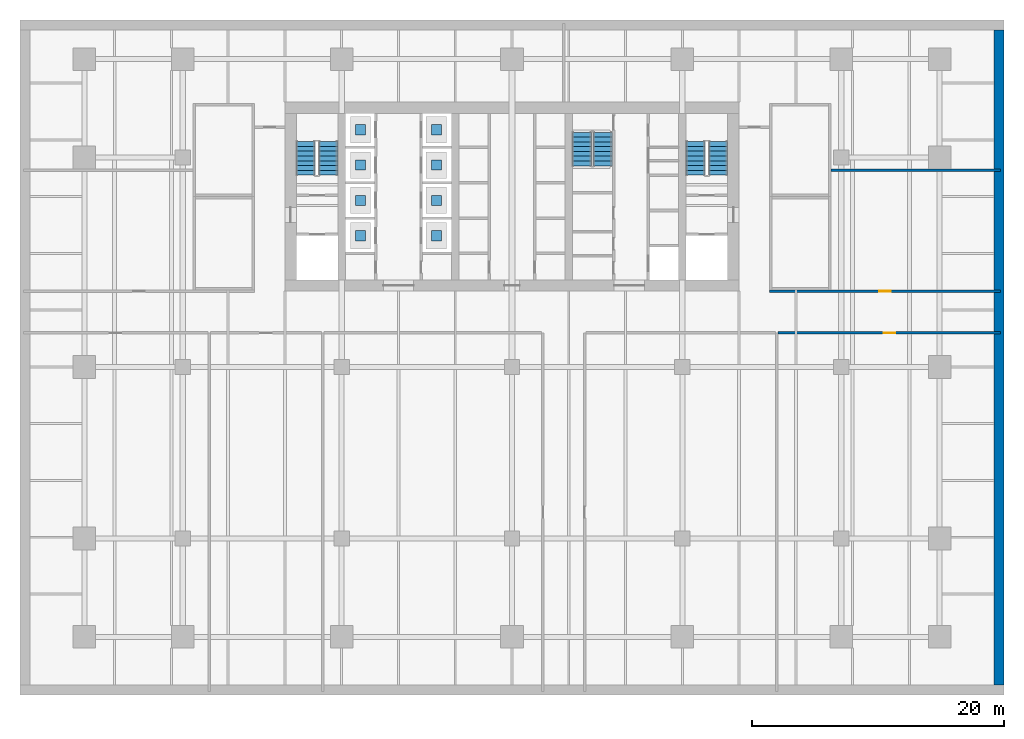
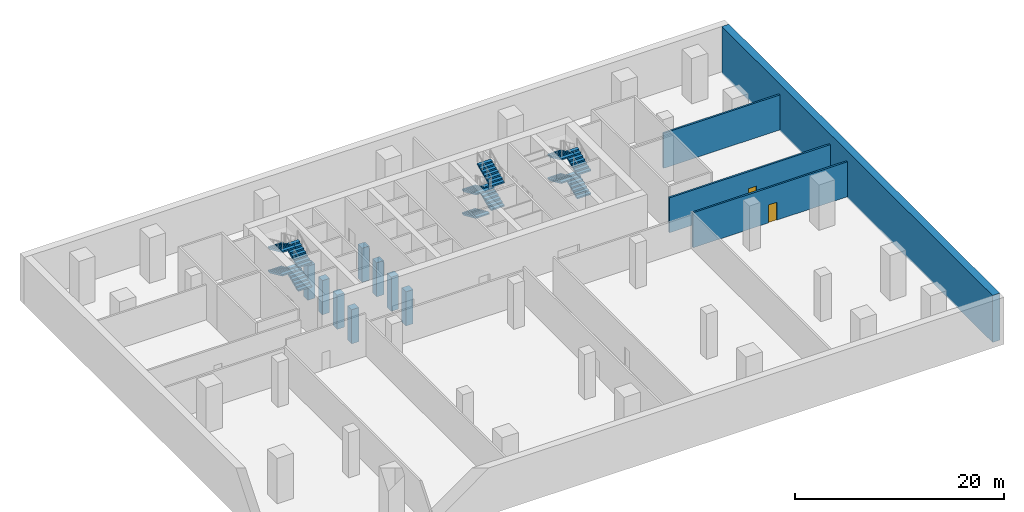
# One storey, part 8 of 11: 12 stair flights, 8 discrete accessories, 4 walls, 2 doors, 2 openings, 3 elements without a shape of their own.
"""IFC4 building model written with IfcOpenShell, lengths in metres."""

from ifc_helpers import new_model, si_unit, direction, frame, frame_2d, origin, origin_2d, place, context, subcontext, project, spatial, polyline, rectangle, outline, extrude, material, layer, layer_set, type_object, element, fill, aggregate, save


model = new_model("IFC4")

# Units and contexts
model_context = context("Model", 3, precision=1e-05, world=origin(), true_north=direction((0.0, 1.0)))
body_context = subcontext(model_context, "Body", "Model", "MODEL_VIEW")
ifc_project = project(units=[si_unit("LENGTHUNIT", "METRE"), si_unit("AREAUNIT", "SQUARE_METRE"), si_unit("VOLUMEUNIT", "CUBIC_METRE"), si_unit("PLANEANGLEUNIT", "RADIAN"), si_unit("MASSUNIT", "GRAM", prefix="KILO")], contexts=[model_context])

# Site, building, storey
site_placement = place(None, origin())
site = spatial("IfcSite", under=ifc_project, at=site_placement, CompositionType="ELEMENT")
building_placement = place(site_placement, origin())
building = spatial("IfcBuilding", under=site, at=building_placement, Name="Rattan Terrace Tower", CompositionType="ELEMENT")
storey_placement = place(building_placement, frame((0.0, 0.0, -5.5)))
storey = spatial("IfcBuildingStorey", under=building, at=storey_placement, Name="B1", CompositionType="ELEMENT", Elevation=-5.5)

# Wall, opening, door
ifc_material_1 = material(Name="Concrete block wall, plastered", Category="concrete")
ifc_layer_1 = layer(ifc_material_1, 0.199951171875)
ifc_layer_set_1 = layer_set([ifc_layer_1], Name="Floors Plant Wall 200")
wall_type_1 = type_object("IfcWallType", Name="Floors Plant Wall 200", PredefinedType="PARTITIONING", material=ifc_layer_set_1)
wall_1_placement = place(storey_placement, frame((38.739990234375, -10.800048828125, 0.0), z_axis=(0.0, 0.0, 1.0), x_axis=(-1.0, 0.0, 0.0)))
wall_1 = element("IfcWall", 1, at=wall_1_placement, inside=storey, type_object=wall_type_1, Name="pt-B1-007", PredefinedType="PARTITIONING", context=body_context, shape_type="SweptSolid", body=[
    extrude(rectangle(XDim=17.639892578125, YDim=0.199951171875, at=frame_2d((8.81982421875, 0.0))), origin(), (0.0, 0.0, 1.0), 4.10009765625),
])
opening_1_placement = place(wall_1_placement, frame((8.3701171875, 0.0, 0.0)))
opening_1 = element("IfcOpeningElement", 2, at=opening_1_placement, cuts=wall_1, Name="Opening B1-D104", PredefinedType="OPENING", context=body_context, shape_type="SweptSolid", body=[
    extrude(rectangle(XDim=0.89990234375, YDim=2.10009765625, at=frame_2d((0.449951171875, 1.050048828125))), frame((0.0, 0.110595703125, 0.0), z_axis=(0.0, -1.0, 0.0), x_axis=(1.0, 0.0, 0.0)), (0.0, 0.0, 1.0), 0.220947265625),
])
ifc_material_2 = material(Name="Steel fire door set", Category="steel")
door_type = type_object("IfcDoorType", Name="Floors Fire Door FD60 900x2100", OperationType="NOTDEFINED", PredefinedType="DOOR", material=ifc_material_2)
door_1_placement = place(opening_1_placement, origin())
door_1 = element("IfcDoor", 3, at=door_1_placement, inside=storey, type_object=door_type, Name="d-B1-104", OperationType="SINGLE_SWING_LEFT", OverallHeight=2.10009765625, OverallWidth=0.89990234375, PredefinedType="DOOR", context=body_context, shape_type="SweptSolid", body=[
    extrude(rectangle(XDim=0.89990234375, YDim=2.10009765625, at=frame_2d((0.449951171875, 1.050048828125))), frame((0.0, 0.02490234375, 0.0), z_axis=(0.0, -1.0, 0.0), x_axis=(1.0, 0.0, 0.0)), (0.0, 0.0, 1.0), 0.050048828125),
])
fill(opening_1, door_1)

wall_2_placement = place(storey_placement, frame((20.39990234375, -7.5, 0.0), z_axis=(0.0, 0.0, 1.0), x_axis=(1.0, 0.0, 0.0)))
wall_2 = element("IfcWall", 4, at=wall_2_placement, inside=storey, type_object=wall_type_1, Name="pt-B1-010", PredefinedType="PARTITIONING", context=body_context, shape_type="SweptSolid", body=[
    extrude(rectangle(XDim=18.340087890625, YDim=0.199951171875, at=frame_2d((9.169921875, 0.0))), origin(), (0.0, 0.0, 1.0), 4.10009765625),
])
opening_2_placement = place(wall_2_placement, frame((8.719970703125, 0.0, 0.0)))
opening_2 = element("IfcOpeningElement", 5, at=opening_2_placement, cuts=wall_2, Name="Opening B1-D107", PredefinedType="OPENING", context=body_context, shape_type="SweptSolid", body=[
    extrude(rectangle(XDim=0.89990234375, YDim=2.10009765625, at=frame_2d((0.449951171875, 1.050048828125))), frame((0.0, 0.110595703125, 0.0), z_axis=(0.0, -1.0, 0.0), x_axis=(1.0, 0.0, 0.0)), (0.0, 0.0, 1.0), 0.220947265625),
])
door_2_placement = place(opening_2_placement, origin())
door_2 = element("IfcDoor", 6, at=door_2_placement, inside=storey, type_object=door_type, Name="d-B1-107", OperationType="SINGLE_SWING_RIGHT", OverallHeight=2.10009765625, OverallWidth=0.89990234375, PredefinedType="DOOR", context=body_context, shape_type="SweptSolid", body=[
    extrude(rectangle(XDim=0.89990234375, YDim=2.10009765625, at=frame_2d((0.449951171875, 1.050048828125))), frame((0.0, 0.02490234375, 0.0), z_axis=(0.0, -1.0, 0.0), x_axis=(1.0, 0.0, 0.0)), (0.0, 0.0, 1.0), 0.050048828125),
])
fill(opening_2, door_2)

# Walls
wall_3_placement = place(storey_placement, frame((25.300048828125, 2.10888671875, 0.0), z_axis=(0.0, 0.0, 1.0), x_axis=(1.0, 0.0, 0.0)))
element("IfcWall", 7, at=wall_3_placement, inside=storey, type_object=wall_type_1, Name="pt-B1-017", PredefinedType="PARTITIONING", context=body_context, shape_type="SweptSolid", body=[
    extrude(rectangle(XDim=13.43994140625, YDim=0.199951171875, at=frame_2d((6.719970703125, 0.0))), origin(), (0.0, 0.0, 1.0), 4.10009765625),
])
ifc_material_3 = material(Name="Concrete C40/50", Category="concrete")
ifc_layer_2 = layer(ifc_material_3, 0.800048828125)
ifc_layer_set_2 = layer_set([ifc_layer_2], Name="Frame basement wall 800")
wall_type_2 = type_object("IfcWallType", Name="Frame basement wall 800", PredefinedType="SOLIDWALL", material=ifc_layer_set_2)
wall_4_placement = place(storey_placement, frame((38.60009765625, -38.699951171875, -0.199951171875), z_axis=(0.0, 0.0, 1.0), x_axis=(0.0, 1.0, 0.0)))
element("IfcWall", 8, at=wall_4_placement, inside=storey, type_object=wall_type_2, Name="Basement wall", PredefinedType="SOLIDWALL", context=body_context, shape_type="SweptSolid", body=[
    extrude(rectangle(XDim=51.89990234375, YDim=0.800048828125, at=frame_2d((25.949951171875, 0.0))), origin(), (0.0, 0.0, 1.0), 5.5),
])

# Stair, stair flights
ifc_material_4 = material(Name="Concrete C40/50", Category="concrete")
stair_type = type_object("IfcStairType", Name="Core exit stair 1500", PredefinedType="HALF_TURN_STAIR", material=ifc_material_4)
stair_1_placement = place(storey_placement, origin())
stair_1 = element("IfcStair", 9, at=stair_1_placement, inside=storey, type_object=stair_type, Name="B1 exit stair 1", PredefinedType="HALF_TURN_STAIR")
ifc_material_5 = material(Name="Concrete C40/50", Category="concrete")
stair_flight_type = type_object("IfcStairFlightType", Name="Core exit stair flight 1500", PredefinedType="STRAIGHT", material=ifc_material_5)
stair_flight_1_placement = place(storey_placement, frame((-14.550048828125, 1.699951171875, 0.0), z_axis=(0.0, 0.0, 1.0), x_axis=(0.0, 1.0, 0.0)))
stair_flight_1 = element("IfcStairFlight", 10, at=stair_flight_1_placement, type_object=stair_flight_type, Name="S1 flight 1", NumberOfRisers=8, NumberOfTreads=7, PredefinedType="STRAIGHT", RiserHeight=0.171875, TreadLength=0.38, context=body_context, shape_type="SweptSolid", body=[
    extrude(outline(polyline([(0.0, 0.0), (0.0, 0.171875), (0.3798828125, 0.171875), (0.3798828125, 0.34375), (0.760009765625, 0.34375), (0.760009765625, 0.515625), (1.139892578125, 0.515625), (1.139892578125, 0.6875), (1.52001953125, 0.6875), (1.52001953125, 0.859375), (1.89990234375, 0.859375), (1.89990234375, 1.03125), (2.280029296875, 1.03125), (2.280029296875, 1.203125), (2.659912109375, 1.203125), (2.659912109375, 1.375), (2.659912109375, 1.03857421875), (0.36376953125, 0.0), (0.0, 0.0)])), frame((0.0, 0.75, 0.0), z_axis=(0.0, -1.0, 0.0), x_axis=(1.0, 0.0, 0.0)), (0.0, 0.0, 1.0), 1.5),
])
stair_flight_2_placement = place(storey_placement, frame((-16.35009765625, 4.360107421875, 1.375), z_axis=(0.0, 0.0, 1.0), x_axis=(0.0, -1.0, 0.0)))
stair_flight_2 = element("IfcStairFlight", 11, at=stair_flight_2_placement, type_object=stair_flight_type, Name="S1 flight 2", NumberOfRisers=8, NumberOfTreads=7, PredefinedType="STRAIGHT", RiserHeight=0.171875, TreadLength=0.38, context=body_context, shape_type="SweptSolid", body=[
    extrude(outline(polyline([(0.0, 0.0), (0.0, 0.171875), (0.3798828125, 0.171875), (0.3798828125, 0.34375), (0.760009765625, 0.34375), (0.760009765625, 0.515625), (1.139892578125, 0.515625), (1.139892578125, 0.6875), (1.52001953125, 0.6875), (1.52001953125, 0.859375), (1.89990234375, 0.859375), (1.89990234375, 1.03125), (2.280029296875, 1.03125), (2.280029296875, 1.203125), (2.659912109375, 1.203125), (2.659912109375, 1.375), (2.659912109375, 1.03857421875), (0.36376953125, 0.0), (0.0, 0.0)])), frame((0.0, 0.75, 0.0), z_axis=(0.0, -1.0, 0.0), x_axis=(1.0, 0.0, 0.0)), (0.0, 0.0, 1.0), 1.5),
])
stair_flight_3_placement = place(storey_placement, frame((-14.550048828125, 1.699951171875, 2.75), z_axis=(0.0, 0.0, 1.0), x_axis=(0.0, 1.0, 0.0)))
stair_flight_3 = element("IfcStairFlight", 12, at=stair_flight_3_placement, type_object=stair_flight_type, Name="S1 flight 3", NumberOfRisers=8, NumberOfTreads=7, PredefinedType="STRAIGHT", RiserHeight=0.171875, TreadLength=0.38, context=body_context, shape_type="SweptSolid", body=[
    extrude(outline(polyline([(0.0, 0.0), (0.0, 0.171875), (0.3798828125, 0.171875), (0.3798828125, 0.34375), (0.760009765625, 0.34375), (0.760009765625, 0.515625), (1.139892578125, 0.515625), (1.139892578125, 0.6875), (1.52001953125, 0.6875), (1.52001953125, 0.859375), (1.89990234375, 0.859375), (1.89990234375, 1.03125), (2.280029296875, 1.03125), (2.280029296875, 1.203125), (2.659912109375, 1.203125), (2.659912109375, 1.375), (2.659912109375, 1.03857421875), (0.36376953125, 0.0), (0.0, 0.0)])), frame((0.0, 0.75, 0.0), z_axis=(0.0, -1.0, 0.0), x_axis=(1.0, 0.0, 0.0)), (0.0, 0.0, 1.0), 1.5),
])
stair_flight_4_placement = place(storey_placement, frame((-16.35009765625, 4.360107421875, 4.125), z_axis=(0.0, 0.0, 1.0), x_axis=(0.0, -1.0, 0.0)))
stair_flight_4 = element("IfcStairFlight", 13, at=stair_flight_4_placement, type_object=stair_flight_type, Name="S1 flight 4", NumberOfRisers=8, NumberOfTreads=7, PredefinedType="STRAIGHT", RiserHeight=0.171875, TreadLength=0.38, context=body_context, shape_type="SweptSolid", body=[
    extrude(outline(polyline([(0.0, 0.0), (0.0, 0.171875), (0.3798828125, 0.171875), (0.3798828125, 0.34375), (0.760009765625, 0.34375), (0.760009765625, 0.515625), (1.139892578125, 0.515625), (1.139892578125, 0.6875), (1.52001953125, 0.6875), (1.52001953125, 0.859375), (1.89990234375, 0.859375), (1.89990234375, 1.03125), (2.280029296875, 1.03125), (2.280029296875, 1.203125), (2.659912109375, 1.203125), (2.659912109375, 1.375), (2.659912109375, 1.03857421875), (0.36376953125, 0.0), (0.0, 0.0)])), frame((0.0, 0.75, 0.0), z_axis=(0.0, -1.0, 0.0), x_axis=(1.0, 0.0, 0.0)), (0.0, 0.0, 1.0), 1.5),
])
aggregate(stair_1, [stair_flight_1, stair_flight_2, stair_flight_3, stair_flight_4])

stair_2_placement = place(storey_placement, origin())
stair_2 = element("IfcStair", 14, at=stair_2_placement, inside=storey, type_object=stair_type, Name="B1 exit stair 2", PredefinedType="HALF_TURN_STAIR")
stair_flight_5_placement = place(storey_placement, frame((16.35009765625, 1.699951171875, 0.0), z_axis=(0.0, 0.0, 1.0), x_axis=(0.0, 1.0, 0.0)))
stair_flight_5 = element("IfcStairFlight", 15, at=stair_flight_5_placement, type_object=stair_flight_type, Name="S2 flight 1", NumberOfRisers=8, NumberOfTreads=7, PredefinedType="STRAIGHT", RiserHeight=0.171875, TreadLength=0.38, context=body_context, shape_type="SweptSolid", body=[
    extrude(outline(polyline([(0.0, 0.0), (0.0, 0.171875), (0.3798828125, 0.171875), (0.3798828125, 0.34375), (0.760009765625, 0.34375), (0.760009765625, 0.515625), (1.139892578125, 0.515625), (1.139892578125, 0.6875), (1.52001953125, 0.6875), (1.52001953125, 0.859375), (1.89990234375, 0.859375), (1.89990234375, 1.03125), (2.280029296875, 1.03125), (2.280029296875, 1.203125), (2.659912109375, 1.203125), (2.659912109375, 1.375), (2.659912109375, 1.03857421875), (0.36376953125, 0.0), (0.0, 0.0)])), frame((0.0, 0.75, 0.0), z_axis=(0.0, -1.0, 0.0), x_axis=(1.0, 0.0, 0.0)), (0.0, 0.0, 1.0), 1.5),
])
stair_flight_6_placement = place(storey_placement, frame((14.550048828125, 4.360107421875, 1.375), z_axis=(0.0, 0.0, 1.0), x_axis=(0.0, -1.0, 0.0)))
stair_flight_6 = element("IfcStairFlight", 16, at=stair_flight_6_placement, type_object=stair_flight_type, Name="S2 flight 2", NumberOfRisers=8, NumberOfTreads=7, PredefinedType="STRAIGHT", RiserHeight=0.171875, TreadLength=0.38, context=body_context, shape_type="SweptSolid", body=[
    extrude(outline(polyline([(0.0, 0.0), (0.0, 0.171875), (0.3798828125, 0.171875), (0.3798828125, 0.34375), (0.760009765625, 0.34375), (0.760009765625, 0.515625), (1.139892578125, 0.515625), (1.139892578125, 0.6875), (1.52001953125, 0.6875), (1.52001953125, 0.859375), (1.89990234375, 0.859375), (1.89990234375, 1.03125), (2.280029296875, 1.03125), (2.280029296875, 1.203125), (2.659912109375, 1.203125), (2.659912109375, 1.375), (2.659912109375, 1.03857421875), (0.36376953125, 0.0), (0.0, 0.0)])), frame((0.0, 0.75, 0.0), z_axis=(0.0, -1.0, 0.0), x_axis=(1.0, 0.0, 0.0)), (0.0, 0.0, 1.0), 1.5),
])
stair_flight_7_placement = place(storey_placement, frame((16.35009765625, 1.699951171875, 2.75), z_axis=(0.0, 0.0, 1.0), x_axis=(0.0, 1.0, 0.0)))
stair_flight_7 = element("IfcStairFlight", 17, at=stair_flight_7_placement, type_object=stair_flight_type, Name="S2 flight 3", NumberOfRisers=8, NumberOfTreads=7, PredefinedType="STRAIGHT", RiserHeight=0.171875, TreadLength=0.38, context=body_context, shape_type="SweptSolid", body=[
    extrude(outline(polyline([(0.0, 0.0), (0.0, 0.171875), (0.3798828125, 0.171875), (0.3798828125, 0.34375), (0.760009765625, 0.34375), (0.760009765625, 0.515625), (1.139892578125, 0.515625), (1.139892578125, 0.6875), (1.52001953125, 0.6875), (1.52001953125, 0.859375), (1.89990234375, 0.859375), (1.89990234375, 1.03125), (2.280029296875, 1.03125), (2.280029296875, 1.203125), (2.659912109375, 1.203125), (2.659912109375, 1.375), (2.659912109375, 1.03857421875), (0.36376953125, 0.0), (0.0, 0.0)])), frame((0.0, 0.75, 0.0), z_axis=(0.0, -1.0, 0.0), x_axis=(1.0, 0.0, 0.0)), (0.0, 0.0, 1.0), 1.5),
])
stair_flight_8_placement = place(storey_placement, frame((14.550048828125, 4.360107421875, 4.125), z_axis=(0.0, 0.0, 1.0), x_axis=(0.0, -1.0, 0.0)))
stair_flight_8 = element("IfcStairFlight", 18, at=stair_flight_8_placement, type_object=stair_flight_type, Name="S2 flight 4", NumberOfRisers=8, NumberOfTreads=7, PredefinedType="STRAIGHT", RiserHeight=0.171875, TreadLength=0.38, context=body_context, shape_type="SweptSolid", body=[
    extrude(outline(polyline([(0.0, 0.0), (0.0, 0.171875), (0.3798828125, 0.171875), (0.3798828125, 0.34375), (0.760009765625, 0.34375), (0.760009765625, 0.515625), (1.139892578125, 0.515625), (1.139892578125, 0.6875), (1.52001953125, 0.6875), (1.52001953125, 0.859375), (1.89990234375, 0.859375), (1.89990234375, 1.03125), (2.280029296875, 1.03125), (2.280029296875, 1.203125), (2.659912109375, 1.203125), (2.659912109375, 1.375), (2.659912109375, 1.03857421875), (0.36376953125, 0.0), (0.0, 0.0)])), frame((0.0, 0.75, 0.0), z_axis=(0.0, -1.0, 0.0), x_axis=(1.0, 0.0, 0.0)), (0.0, 0.0, 1.0), 1.5),
])
aggregate(stair_2, [stair_flight_5, stair_flight_6, stair_flight_7, stair_flight_8])

stair_3_placement = place(storey_placement, origin())
stair_3 = element("IfcStair", 19, at=stair_3_placement, inside=storey, type_object=stair_type, Name="B1 exit stair 3", PredefinedType="HALF_TURN_STAIR")
stair_flight_9_placement = place(storey_placement, frame((5.550048828125, 5.10009765625, 0.0), z_axis=(0.0, 0.0, 1.0), x_axis=(0.0, -1.0, 0.0)))
stair_flight_9 = element("IfcStairFlight", 20, at=stair_flight_9_placement, type_object=stair_flight_type, Name="S3 flight 1", NumberOfRisers=8, NumberOfTreads=7, PredefinedType="STRAIGHT", RiserHeight=0.171875, TreadLength=0.38, context=body_context, shape_type="SweptSolid", body=[
    extrude(outline(polyline([(0.0, 0.0), (0.0, 0.171875), (0.3798828125, 0.171875), (0.3798828125, 0.34375), (0.760009765625, 0.34375), (0.760009765625, 0.515625), (1.139892578125, 0.515625), (1.139892578125, 0.6875), (1.52001953125, 0.6875), (1.52001953125, 0.859375), (1.89990234375, 0.859375), (1.89990234375, 1.03125), (2.280029296875, 1.03125), (2.280029296875, 1.203125), (2.659912109375, 1.203125), (2.659912109375, 1.375), (2.659912109375, 1.03857421875), (0.36376953125, 0.0), (0.0, 0.0)])), frame((0.0, 0.75, 0.0), z_axis=(0.0, -1.0, 0.0), x_axis=(1.0, 0.0, 0.0)), (0.0, 0.0, 1.0), 1.5),
])
stair_flight_10_placement = place(storey_placement, frame((7.199951171875, 2.43994140625, 1.375), z_axis=(0.0, 0.0, 1.0), x_axis=(0.0, 1.0, 0.0)))
stair_flight_10 = element("IfcStairFlight", 21, at=stair_flight_10_placement, type_object=stair_flight_type, Name="S3 flight 2", NumberOfRisers=8, NumberOfTreads=7, PredefinedType="STRAIGHT", RiserHeight=0.171875, TreadLength=0.38, context=body_context, shape_type="SweptSolid", body=[
    extrude(outline(polyline([(0.0, 0.0), (0.0, 0.171875), (0.3798828125, 0.171875), (0.3798828125, 0.34375), (0.760009765625, 0.34375), (0.760009765625, 0.515625), (1.139892578125, 0.515625), (1.139892578125, 0.6875), (1.52001953125, 0.6875), (1.52001953125, 0.859375), (1.89990234375, 0.859375), (1.89990234375, 1.03125), (2.280029296875, 1.03125), (2.280029296875, 1.203125), (2.659912109375, 1.203125), (2.659912109375, 1.375), (2.659912109375, 1.03857421875), (0.36376953125, 0.0), (0.0, 0.0)])), frame((0.0, 0.75, 0.0), z_axis=(0.0, -1.0, 0.0), x_axis=(1.0, 0.0, 0.0)), (0.0, 0.0, 1.0), 1.5),
])
stair_flight_11_placement = place(storey_placement, frame((5.550048828125, 5.10009765625, 2.75), z_axis=(0.0, 0.0, 1.0), x_axis=(0.0, -1.0, 0.0)))
stair_flight_11 = element("IfcStairFlight", 22, at=stair_flight_11_placement, type_object=stair_flight_type, Name="S3 flight 3", NumberOfRisers=8, NumberOfTreads=7, PredefinedType="STRAIGHT", RiserHeight=0.171875, TreadLength=0.38, context=body_context, shape_type="SweptSolid", body=[
    extrude(outline(polyline([(0.0, 0.0), (0.0, 0.171875), (0.3798828125, 0.171875), (0.3798828125, 0.34375), (0.760009765625, 0.34375), (0.760009765625, 0.515625), (1.139892578125, 0.515625), (1.139892578125, 0.6875), (1.52001953125, 0.6875), (1.52001953125, 0.859375), (1.89990234375, 0.859375), (1.89990234375, 1.03125), (2.280029296875, 1.03125), (2.280029296875, 1.203125), (2.659912109375, 1.203125), (2.659912109375, 1.375), (2.659912109375, 1.03857421875), (0.36376953125, 0.0), (0.0, 0.0)])), frame((0.0, 0.75, 0.0), z_axis=(0.0, -1.0, 0.0), x_axis=(1.0, 0.0, 0.0)), (0.0, 0.0, 1.0), 1.5),
])
stair_flight_12_placement = place(storey_placement, frame((7.199951171875, 2.43994140625, 4.125), z_axis=(0.0, 0.0, 1.0), x_axis=(0.0, 1.0, 0.0)))
stair_flight_12 = element("IfcStairFlight", 23, at=stair_flight_12_placement, type_object=stair_flight_type, Name="S3 flight 4", NumberOfRisers=8, NumberOfTreads=7, PredefinedType="STRAIGHT", RiserHeight=0.171875, TreadLength=0.38, context=body_context, shape_type="SweptSolid", body=[
    extrude(outline(polyline([(0.0, 0.0), (0.0, 0.171875), (0.3798828125, 0.171875), (0.3798828125, 0.34375), (0.760009765625, 0.34375), (0.760009765625, 0.515625), (1.139892578125, 0.515625), (1.139892578125, 0.6875), (1.52001953125, 0.6875), (1.52001953125, 0.859375), (1.89990234375, 0.859375), (1.89990234375, 1.03125), (2.280029296875, 1.03125), (2.280029296875, 1.203125), (2.659912109375, 1.203125), (2.659912109375, 1.375), (2.659912109375, 1.03857421875), (0.36376953125, 0.0), (0.0, 0.0)])), frame((0.0, 0.75, 0.0), z_axis=(0.0, -1.0, 0.0), x_axis=(1.0, 0.0, 0.0)), (0.0, 0.0, 1.0), 1.5),
])
aggregate(stair_3, [stair_flight_9, stair_flight_10, stair_flight_11, stair_flight_12])

# Discrete accessories
for number, where, z_axis, x_axis, name in (
    (24, (-12.0, -3.10009765625, -4.0), (0.0, 0.0, 1.0), (1.0, 0.0, 0.0), "Lift LR1 car buffer stand"),
    (25, (-12.0, -0.300048828125, -4.0), (0.0, 0.0, 1.0), (1.0, 0.0, 0.0), "Lift LR2 car buffer stand"),
    (26, (-12.0, 2.5, -4.0), (0.0, 0.0, 1.0), (1.0, 0.0, 0.0), "Lift LR3 car buffer stand"),
    (27, (-12.0, 5.300048828125, -4.0), (0.0, 0.0, 1.0), (1.0, 0.0, 0.0), "Lift LR4 car buffer stand"),
    (28, (-6.0, -3.10009765625, -4.0), (0.0, 0.0, 1.0), (1.0, 0.0, 0.0), "Lift LR5 car buffer stand"),
    (29, (-6.0, -0.300048828125, -4.0), (0.0, 0.0, 1.0), (1.0, 0.0, 0.0), "Lift LR6 car buffer stand"),
    (30, (-6.0, 2.5, -4.0), (0.0, 0.0, 1.0), (1.0, 0.0, 0.0), "Lift LR7 car buffer stand"),
    (31, (-6.0, 5.300048828125, -4.0), (0.0, 0.0, 1.0), (1.0, 0.0, 0.0), "Lift LR8 car buffer stand"),
):
    element("IfcDiscreteAccessory", number, at=place(storey_placement, frame(where, z_axis=z_axis, x_axis=x_axis)), inside=storey, Name=name, PredefinedType="BRACKET", context=body_context, shape_type="SweptSolid", body=[
        extrude(rectangle(XDim=0.800048828125, YDim=0.800048828125, at=origin_2d()), origin(), (0.0, 0.0, 1.0), 4.0),
    ])

save(model, "model.ifc")
